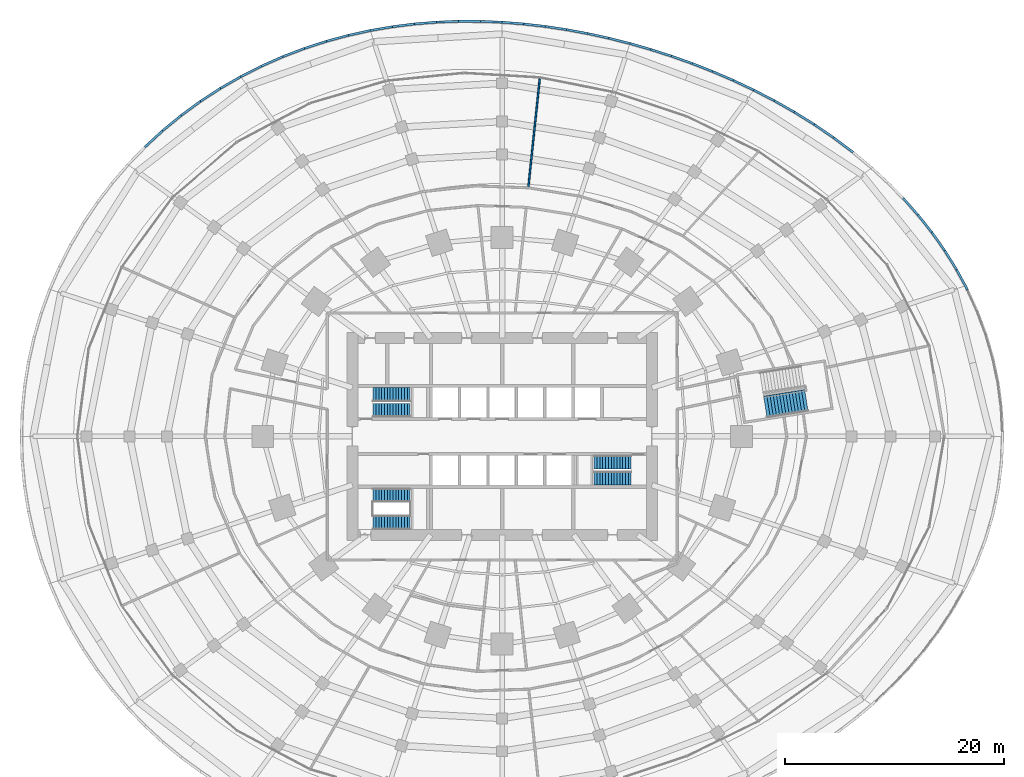
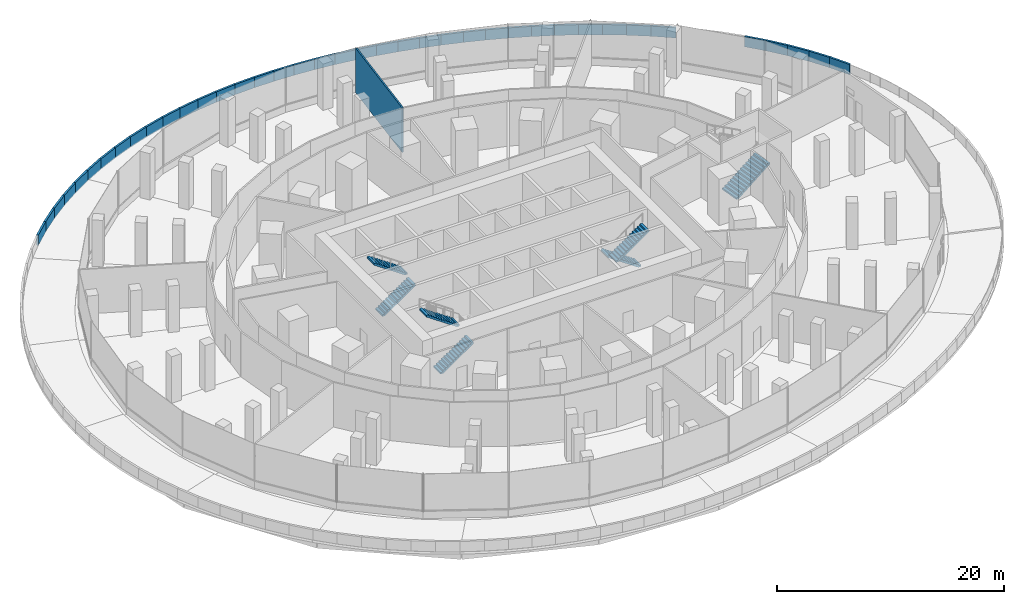
# One storey, part 27 of 31: 40 walls, 7 stair flights, 4 elements without a shape of their own.
"""IFC4 building model written with IfcOpenShell, lengths in metres."""

from ifc_helpers import new_model, si_unit, direction, frame, frame_2d, origin, place, context, subcontext, project, spatial, polyline, rectangle, outline, extrude, material, layer, layer_set, type_object, element, aggregate, save


model = new_model("IFC4")

# Units and contexts
model_context = context("Model", 3, precision=1e-05, world=origin(), true_north=direction((0.0, 1.0)))
body_context = subcontext(model_context, "Body", "Model", "MODEL_VIEW")
ifc_project = project(units=[si_unit("LENGTHUNIT", "METRE"), si_unit("AREAUNIT", "SQUARE_METRE"), si_unit("VOLUMEUNIT", "CUBIC_METRE"), si_unit("PLANEANGLEUNIT", "RADIAN"), si_unit("MASSUNIT", "GRAM", prefix="KILO")], contexts=[model_context])

# Site, building, storey
site_placement = place(None, origin())
site = spatial("IfcSite", under=ifc_project, at=site_placement, CompositionType="ELEMENT")
building_placement = place(site_placement, origin())
building = spatial("IfcBuilding", under=site, at=building_placement, Name="Marramba Exchange Tower", CompositionType="ELEMENT")
storey_placement = place(building_placement, frame((0.0, 0.0, 5.60009765625)))
storey = spatial("IfcBuildingStorey", under=building, at=storey_placement, Name="L01", CompositionType="ELEMENT", Elevation=5.60009765625)

# Walls
ifc_material_1 = material(Name="Concrete N40", Category="concrete")
ifc_layer_1 = layer(ifc_material_1, 0.199951171875)
ifc_layer_set_1 = layer_set([ifc_layer_1], Name="Roof parapet 200")
wall_type_1 = type_object("IfcWallType", Name="Roof parapet 200", PredefinedType="PARAPET", material=ifc_layer_set_1)
wall_1_placement = place(storey_placement, frame((42.560546875, 13.40869140625, 0.0), z_axis=(0.0, 0.0, 1.0), x_axis=(-0.47446368873, 0.880275075233, 0.0)))
element("IfcWall", 1, at=wall_1_placement, inside=storey, type_object=wall_type_1, Name="Parapet L01 bay 02", PredefinedType="PARAPET", context=body_context, shape_type="SweptSolid", body=[
    extrude(rectangle(XDim=2.080322265625, YDim=0.199951171875, at=frame_2d((1.0400390625, 0.0))), origin(), (0.0, 0.0, 1.0), 1.099853515625),
])
wall_2_placement = place(storey_placement, frame((41.573486328125, 15.239990234375, 0.0), z_axis=(0.0, 0.0, 1.0), x_axis=(-0.528120417242, 0.849169491263, 0.0)))
element("IfcWall", 2, at=wall_2_placement, inside=storey, type_object=wall_type_1, Name="Parapet L01 bay 02", PredefinedType="PARAPET", context=body_context, shape_type="SweptSolid", body=[
    extrude(rectangle(XDim=2.069091796875, YDim=0.199951171875, at=frame_2d((1.03466796875, 0.0))), origin(), (0.0, 0.0, 1.0), 1.099853515625),
])
wall_3_placement = place(storey_placement, frame((40.480712890625, 16.9970703125, 0.0), z_axis=(0.0, 0.0, 1.0), x_axis=(-0.577638429432, 0.816292744573, 0.0)))
element("IfcWall", 3, at=wall_3_placement, inside=storey, type_object=wall_type_1, Name="Parapet L01 bay 02", PredefinedType="PARAPET", context=body_context, shape_type="SweptSolid", body=[
    extrude(rectangle(XDim=2.05615234375, YDim=0.199951171875, at=frame_2d((1.028076171875, 0.0))), origin(), (0.0, 0.0, 1.0), 1.099853515625),
])
wall_4_placement = place(storey_placement, frame((39.29296875, 18.675537109375, 0.0), z_axis=(0.0, 0.0, 1.0), x_axis=(-0.623089407326, 0.782150618793, 0.0)))
element("IfcWall", 4, at=wall_4_placement, inside=storey, type_object=wall_type_1, Name="Parapet L01 bay 02", PredefinedType="PARAPET", context=body_context, shape_type="SweptSolid", body=[
    extrude(rectangle(XDim=2.04150390625, YDim=0.199951171875, at=frame_2d((1.020751953125, 0.0))), origin(), (0.0, 0.0, 1.0), 1.099853515625),
])
wall_5_placement = place(storey_placement, frame((38.02099609375, 20.272216796875, 0.0), z_axis=(0.0, 0.0, 1.0), x_axis=(-0.664476088667, 0.747309525959, 0.0)))
element("IfcWall", 5, at=wall_5_placement, inside=storey, type_object=wall_type_1, Name="Parapet L01 bay 02", PredefinedType="PARAPET", context=body_context, shape_type="SweptSolid", body=[
    extrude(rectangle(XDim=2.02490234375, YDim=0.199951171875, at=frame_2d((1.012451171875, 0.0))), origin(), (0.0, 0.0, 1.0), 1.099853515625),
])
wall_6_placement = place(storey_placement, frame((32.09130859375, 25.987060546875, 0.0), z_axis=(0.0, 0.0, 1.0), x_axis=(-0.798827513342, 0.601560141572, 0.0)))
element("IfcWall", 6, at=wall_6_placement, inside=storey, type_object=wall_type_1, Name="Parapet L01 bay 03", PredefinedType="PARAPET", context=body_context, shape_type="SweptSolid", body=[
    extrude(rectangle(XDim=2.20166015625, YDim=0.199951171875, at=frame_2d((1.100830078125, 0.0))), origin(), (0.0, 0.0, 1.0), 1.099853515625),
])
wall_7_placement = place(storey_placement, frame((30.33251953125, 27.3115234375, 0.0), z_axis=(0.0, 0.0, 1.0), x_axis=(-0.825742290935, 0.56404757686, 0.0)))
element("IfcWall", 7, at=wall_7_placement, inside=storey, type_object=wall_type_1, Name="Parapet L01 bay 03", PredefinedType="PARAPET", context=body_context, shape_type="SweptSolid", body=[
    extrude(rectangle(XDim=2.173828125, YDim=0.199951171875, at=frame_2d((1.0869140625, 0.0))), origin(), (0.0, 0.0, 1.0), 1.099853515625),
])
wall_8_placement = place(storey_placement, frame((28.53759765625, 28.53759765625, 0.0), z_axis=(0.0, 0.0, 1.0), x_axis=(-0.849191548621, 0.52808494937, 0.0)))
element("IfcWall", 8, at=wall_8_placement, inside=storey, type_object=wall_type_1, Name="Parapet L01 bay 03", PredefinedType="PARAPET", context=body_context, shape_type="SweptSolid", body=[
    extrude(rectangle(XDim=2.1455078125, YDim=0.199951171875, at=frame_2d((1.07275390625, 0.0))), origin(), (0.0, 0.0, 1.0), 1.099853515625),
])
wall_9_placement = place(storey_placement, frame((26.715576171875, 29.670654296875, 0.0), z_axis=(0.0, 0.0, 1.0), x_axis=(-0.870010651071, 0.493032926915, 0.0)))
element("IfcWall", 9, at=wall_9_placement, inside=storey, type_object=wall_type_1, Name="Parapet L01 bay 03", PredefinedType="PARAPET", context=body_context, shape_type="SweptSolid", body=[
    extrude(rectangle(XDim=2.118408203125, YDim=0.199951171875, at=frame_2d((1.05908203125, 0.0))), origin(), (0.0, 0.0, 1.0), 1.099853515625),
])
wall_10_placement = place(storey_placement, frame((24.87255859375, 30.715087890625, 0.0), z_axis=(0.0, 0.0, 1.0), x_axis=(-0.888109250046, 0.459632418333, 0.0)))
element("IfcWall", 10, at=wall_10_placement, inside=storey, type_object=wall_type_1, Name="Parapet L01 bay 03", PredefinedType="PARAPET", context=body_context, shape_type="SweptSolid", body=[
    extrude(rectangle(XDim=2.09228515625, YDim=0.199951171875, at=frame_2d((1.046142578125, 0.0))), origin(), (0.0, 0.0, 1.0), 1.099853515625),
])
wall_11_placement = place(storey_placement, frame((23.014404296875, 31.6767578125, 0.0), z_axis=(0.0, 0.0, 1.0), x_axis=(-0.904170117636, 0.427172562759, 0.0)))
element("IfcWall", 11, at=wall_11_placement, inside=storey, type_object=wall_type_1, Name="Parapet L01 bay 04", PredefinedType="PARAPET", context=body_context, shape_type="SweptSolid", body=[
    extrude(rectangle(XDim=2.06787109375, YDim=0.199951171875, at=frame_2d((1.033935546875, 0.0))), origin(), (0.0, 0.0, 1.0), 1.099853515625),
])
wall_12_placement = place(storey_placement, frame((21.144775390625, 32.56005859375, 0.0), z_axis=(0.0, 0.0, 1.0), x_axis=(-0.918359236992, 0.395747788157, 0.0)))
element("IfcWall", 12, at=wall_12_placement, inside=storey, type_object=wall_type_1, Name="Parapet L01 bay 04", PredefinedType="PARAPET", context=body_context, shape_type="SweptSolid", body=[
    extrude(rectangle(XDim=2.045654296875, YDim=0.199951171875, at=frame_2d((1.02294921875, 0.0))), origin(), (0.0, 0.0, 1.0), 1.099853515625),
])
wall_13_placement = place(storey_placement, frame((19.26611328125, 33.36962890625, 0.0), z_axis=(0.0, 0.0, 1.0), x_axis=(-0.930940274783, 0.365171473129, 0.0)))
element("IfcWall", 13, at=wall_13_placement, inside=storey, type_object=wall_type_1, Name="Parapet L01 bay 04", PredefinedType="PARAPET", context=body_context, shape_type="SweptSolid", body=[
    extrude(rectangle(XDim=2.0263671875, YDim=0.199951171875, at=frame_2d((1.01318359375, 0.0))), origin(), (0.0, 0.0, 1.0), 1.099853515625),
])
wall_14_placement = place(storey_placement, frame((17.379638671875, 34.109619140625, 0.0), z_axis=(0.0, 0.0, 1.0), x_axis=(-0.942189120979, 0.335081572619, 0.0)))
element("IfcWall", 14, at=wall_14_placement, inside=storey, type_object=wall_type_1, Name="Parapet L01 bay 04", PredefinedType="PARAPET", context=body_context, shape_type="SweptSolid", body=[
    extrude(rectangle(XDim=2.009521484375, YDim=0.199951171875, at=frame_2d((1.0048828125, 0.0))), origin(), (0.0, 0.0, 1.0), 1.099853515625),
])
wall_15_placement = place(storey_placement, frame((15.486328125, 34.782958984375, 0.0), z_axis=(0.0, 0.0, 1.0), x_axis=(-0.952289125088, 0.305197349659, 0.0)))
element("IfcWall", 15, at=wall_15_placement, inside=storey, type_object=wall_type_1, Name="Parapet L01 bay 04", PredefinedType="PARAPET", context=body_context, shape_type="SweptSolid", body=[
    extrude(rectangle(XDim=1.995849609375, YDim=0.199951171875, at=frame_2d((0.998046875, 0.0))), origin(), (0.0, 0.0, 1.0), 1.099853515625),
])
wall_16_placement = place(storey_placement, frame((13.585693359375, 35.39208984375, 0.0), z_axis=(0.0, 0.0, 1.0), x_axis=(-0.961375296718, 0.275240874255, 0.0)))
element("IfcWall", 16, at=wall_16_placement, inside=storey, type_object=wall_type_1, Name="Parapet L01 bay 04", PredefinedType="PARAPET", context=body_context, shape_type="SweptSolid", body=[
    extrude(rectangle(XDim=1.985107421875, YDim=0.199951171875, at=frame_2d((0.99267578125, 0.0))), origin(), (0.0, 0.0, 1.0), 1.099853515625),
])
wall_17_placement = place(storey_placement, frame((11.67724609375, 35.9384765625, 0.0), z_axis=(0.0, 0.0, 1.0), x_axis=(-0.969522222507, 0.245003387865, 0.0)))
element("IfcWall", 17, at=wall_17_placement, inside=storey, type_object=wall_type_1, Name="Parapet L01 bay 05", PredefinedType="PARAPET", context=body_context, shape_type="SweptSolid", body=[
    extrude(rectangle(XDim=1.97802734375, YDim=0.199951171875, at=frame_2d((0.989013671875, 0.0))), origin(), (0.0, 0.0, 1.0), 1.099853515625),
])
wall_18_placement = place(storey_placement, frame((9.759521484375, 36.423095703125, 0.0), z_axis=(0.0, 0.0, 1.0), x_axis=(-0.976854798587, 0.213903488698, 0.0)))
element("IfcWall", 18, at=wall_18_placement, inside=storey, type_object=wall_type_1, Name="Parapet L01 bay 05", PredefinedType="PARAPET", context=body_context, shape_type="SweptSolid", body=[
    extrude(rectangle(XDim=1.973388671875, YDim=0.199951171875, at=frame_2d((0.98681640625, 0.0))), origin(), (0.0, 0.0, 1.0), 1.099853515625),
])
wall_19_placement = place(storey_placement, frame((7.831787109375, 36.84521484375, 0.0), z_axis=(0.0, 0.0, 1.0), x_axis=(-0.983302521759, 0.181978434721, 0.0)))
element("IfcWall", 19, at=wall_19_placement, inside=storey, type_object=wall_type_1, Name="Parapet L01 bay 05", PredefinedType="PARAPET", context=body_context, shape_type="SweptSolid", body=[
    extrude(rectangle(XDim=1.97216796875, YDim=0.199951171875, at=frame_2d((0.986083984375, 0.0))), origin(), (0.0, 0.0, 1.0), 1.099853515625),
])
wall_20_placement = place(storey_placement, frame((5.892578125, 37.2041015625, 0.0), z_axis=(0.0, 0.0, 1.0), x_axis=(-0.98884451305, 0.148951431717, 0.0)))
element("IfcWall", 20, at=wall_20_placement, inside=storey, type_object=wall_type_1, Name="Parapet L01 bay 05", PredefinedType="PARAPET", context=body_context, shape_type="SweptSolid", body=[
    extrude(rectangle(XDim=1.973388671875, YDim=0.199951171875, at=frame_2d((0.98681640625, 0.0))), origin(), (0.0, 0.0, 1.0), 1.099853515625),
])
wall_21_placement = place(storey_placement, frame((3.941162109375, 37.498046875, 0.0), z_axis=(0.0, 0.0, 1.0), x_axis=(-0.993440805312, 0.114347568144, 0.0)))
element("IfcWall", 21, at=wall_21_placement, inside=storey, type_object=wall_type_1, Name="Parapet L01 bay 05", PredefinedType="PARAPET", context=body_context, shape_type="SweptSolid", body=[
    extrude(rectangle(XDim=1.97705078125, YDim=0.199951171875, at=frame_2d((0.988525390625, 0.0))), origin(), (0.0, 0.0, 1.0), 1.099853515625),
])
wall_22_placement = place(storey_placement, frame((1.97705078125, 37.72412109375, 0.0), z_axis=(0.0, 0.0, 1.0), x_axis=(-0.996910844446, 0.078541506391, 0.0)))
element("IfcWall", 22, at=wall_22_placement, inside=storey, type_object=wall_type_1, Name="Parapet L01 bay 05", PredefinedType="PARAPET", context=body_context, shape_type="SweptSolid", body=[
    extrude(rectangle(XDim=1.983154296875, YDim=0.199951171875, at=frame_2d((0.99169921875, 0.0))), origin(), (0.0, 0.0, 1.0), 1.099853515625),
])
wall_23_placement = place(storey_placement, frame((0.0, 37.8798828125, 0.0), z_axis=(0.0, 0.0, 1.0), x_axis=(-0.999156080644, 0.041074645603, 0.0)))
element("IfcWall", 23, at=wall_23_placement, inside=storey, type_object=wall_type_1, Name="Parapet L01 bay 06", PredefinedType="PARAPET", context=body_context, shape_type="SweptSolid", body=[
    extrude(rectangle(XDim=1.9912109375, YDim=0.199951171875, at=frame_2d((0.99560546875, 0.0))), origin(), (0.0, 0.0, 1.0), 1.099853515625),
])
wall_24_placement = place(storey_placement, frame((-1.989501953125, 37.961669921875, 0.0), z_axis=(0.0, 0.0, 1.0), x_axis=(-0.99999784889, 0.002074178066, 0.0)))
element("IfcWall", 24, at=wall_24_placement, inside=storey, type_object=wall_type_1, Name="Parapet L01 bay 06", PredefinedType="PARAPET", context=body_context, shape_type="SweptSolid", body=[
    extrude(rectangle(XDim=2.0009765625, YDim=0.199951171875, at=frame_2d((1.00048828125, 0.0))), origin(), (0.0, 0.0, 1.0), 1.099853515625),
])
wall_25_placement = place(storey_placement, frame((-3.990478515625, 37.9658203125, 0.0), z_axis=(0.0, 0.0, 1.0), x_axis=(-0.999255248024, -0.038586905752, 0.0)))
element("IfcWall", 25, at=wall_25_placement, inside=storey, type_object=wall_type_1, Name="Parapet L01 bay 06", PredefinedType="PARAPET", context=body_context, shape_type="SweptSolid", body=[
    extrude(rectangle(XDim=2.011962890625, YDim=0.199951171875, at=frame_2d((1.005859375, 0.0))), origin(), (0.0, 0.0, 1.0), 1.099853515625),
])
wall_26_placement = place(storey_placement, frame((-6.0009765625, 37.88818359375, 0.0), z_axis=(0.0, 0.0, 1.0), x_axis=(-0.996729573251, -0.080809391829, 0.0)))
element("IfcWall", 26, at=wall_26_placement, inside=storey, type_object=wall_type_1, Name="Parapet L01 bay 06", PredefinedType="PARAPET", context=body_context, shape_type="SweptSolid", body=[
    extrude(rectangle(XDim=2.024169921875, YDim=0.199951171875, at=frame_2d((1.01220703125, 0.0))), origin(), (0.0, 0.0, 1.0), 1.099853515625),
])
wall_27_placement = place(storey_placement, frame((-8.0185546875, 37.724609375, 0.0), z_axis=(0.0, 0.0, 1.0), x_axis=(-0.992252050382, -0.124241170761, 0.0)))
element("IfcWall", 27, at=wall_27_placement, inside=storey, type_object=wall_type_1, Name="Parapet L01 bay 06", PredefinedType="PARAPET", context=body_context, shape_type="SweptSolid", body=[
    extrude(rectangle(XDim=2.037841796875, YDim=0.199951171875, at=frame_2d((1.01904296875, 0.0))), origin(), (0.0, 0.0, 1.0), 1.099853515625),
])
wall_28_placement = place(storey_placement, frame((-10.04052734375, 37.471435546875, 0.0), z_axis=(0.0, 0.0, 1.0), x_axis=(-0.985597896251, -0.169105845276, 0.0)))
element("IfcWall", 28, at=wall_28_placement, inside=storey, type_object=wall_type_1, Name="Parapet L01 bay 06", PredefinedType="PARAPET", context=body_context, shape_type="SweptSolid", body=[
    extrude(rectangle(XDim=2.051513671875, YDim=0.199951171875, at=frame_2d((1.02587890625, 0.0))), origin(), (0.0, 0.0, 1.0), 1.099853515625),
])
wall_29_placement = place(storey_placement, frame((-12.0625, 37.12451171875, 0.0), z_axis=(0.0, 0.0, 1.0), x_axis=(-0.97662710632, -0.21494067833, 0.0)))
element("IfcWall", 29, at=wall_29_placement, inside=storey, type_object=wall_type_1, Name="Parapet L01 bay 07", PredefinedType="PARAPET", context=body_context, shape_type="SweptSolid", body=[
    extrude(rectangle(XDim=2.066162109375, YDim=0.199951171875, at=frame_2d((1.033203125, 0.0))), origin(), (0.0, 0.0, 1.0), 1.099853515625),
])
wall_30_placement = place(storey_placement, frame((-14.080322265625, 36.680419921875, 0.0), z_axis=(0.0, 0.0, 1.0), x_axis=(-0.9651714633, -0.26161813093, 0.0)))
element("IfcWall", 30, at=wall_30_placement, inside=storey, type_object=wall_type_1, Name="Parapet L01 bay 07", PredefinedType="PARAPET", context=body_context, shape_type="SweptSolid", body=[
    extrude(rectangle(XDim=2.0810546875, YDim=0.199951171875, at=frame_2d((1.04052734375, 0.0))), origin(), (0.0, 0.0, 1.0), 1.099853515625),
])
wall_31_placement = place(storey_placement, frame((-16.0888671875, 36.135986328125, 0.0), z_axis=(0.0, 0.0, 1.0), x_axis=(-0.951123913208, -0.308809490988, 0.0)))
element("IfcWall", 31, at=wall_31_placement, inside=storey, type_object=wall_type_1, Name="Parapet L01 bay 07", PredefinedType="PARAPET", context=body_context, shape_type="SweptSolid", body=[
    extrude(rectangle(XDim=2.095947265625, YDim=0.199951171875, at=frame_2d((1.0478515625, 0.0))), origin(), (0.0, 0.0, 1.0), 1.099853515625),
])
wall_32_placement = place(storey_placement, frame((-18.082275390625, 35.48876953125, 0.0), z_axis=(0.0, 0.0, 1.0), x_axis=(-0.934298930439, -0.356490544869, 0.0)))
element("IfcWall", 32, at=wall_32_placement, inside=storey, type_object=wall_type_1, Name="Parapet L01 bay 07", PredefinedType="PARAPET", context=body_context, shape_type="SweptSolid", body=[
    extrude(rectangle(XDim=2.111328125, YDim=0.199951171875, at=frame_2d((1.0556640625, 0.0))), origin(), (0.0, 0.0, 1.0), 1.099853515625),
])
wall_33_placement = place(storey_placement, frame((-20.054931640625, 34.736083984375, 0.0), z_axis=(0.0, 0.0, 1.0), x_axis=(-0.914619460202, -0.404315771421, 0.0)))
element("IfcWall", 33, at=wall_33_placement, inside=storey, type_object=wall_type_1, Name="Parapet L01 bay 07", PredefinedType="PARAPET", context=body_context, shape_type="SweptSolid", body=[
    extrude(rectangle(XDim=2.126220703125, YDim=0.199951171875, at=frame_2d((1.06298828125, 0.0))), origin(), (0.0, 0.0, 1.0), 1.099853515625),
])
wall_34_placement = place(storey_placement, frame((-21.99951171875, 33.87646484375, 0.0), z_axis=(0.0, 0.0, 1.0), x_axis=(-0.89208909401, -0.451859544934, 0.0)))
element("IfcWall", 34, at=wall_34_placement, inside=storey, type_object=wall_type_1, Name="Parapet L01 bay 07", PredefinedType="PARAPET", context=body_context, shape_type="SweptSolid", body=[
    extrude(rectangle(XDim=2.14111328125, YDim=0.199951171875, at=frame_2d((1.070556640625, 0.0))), origin(), (0.0, 0.0, 1.0), 1.099853515625),
])
wall_35_placement = place(storey_placement, frame((-23.90966796875, 32.908935546875, 0.0), z_axis=(0.0, 0.0, 1.0), x_axis=(-0.86663581123, -0.498941249742, 0.0)))
element("IfcWall", 35, at=wall_35_placement, inside=storey, type_object=wall_type_1, Name="Parapet L01 bay 08", PredefinedType="PARAPET", context=body_context, shape_type="SweptSolid", body=[
    extrude(rectangle(XDim=2.156005859375, YDim=0.199951171875, at=frame_2d((1.078125, 0.0))), origin(), (0.0, 0.0, 1.0), 1.099853515625),
])
wall_36_placement = place(storey_placement, frame((-25.778076171875, 31.833251953125, 0.0), z_axis=(0.0, 0.0, 1.0), x_axis=(-0.838109326127, -0.545502298307, 0.0)))
element("IfcWall", 36, at=wall_36_placement, inside=storey, type_object=wall_type_1, Name="Parapet L01 bay 08", PredefinedType="PARAPET", context=body_context, shape_type="SweptSolid", body=[
    extrude(rectangle(XDim=2.170166015625, YDim=0.199951171875, at=frame_2d((1.0849609375, 0.0))), origin(), (0.0, 0.0, 1.0), 1.099853515625),
])
wall_37_placement = place(storey_placement, frame((-27.596923828125, 30.6494140625, 0.0), z_axis=(0.0, 0.0, 1.0), x_axis=(-0.806749581927, -0.590893486222, 0.0)))
element("IfcWall", 37, at=wall_37_placement, inside=storey, type_object=wall_type_1, Name="Parapet L01 bay 08", PredefinedType="PARAPET", context=body_context, shape_type="SweptSolid", body=[
    extrude(rectangle(XDim=2.18408203125, YDim=0.199951171875, at=frame_2d((1.092041015625, 0.0))), origin(), (0.0, 0.0, 1.0), 1.099853515625),
])
wall_38_placement = place(storey_placement, frame((-29.35888671875, 29.35888671875, 0.0), z_axis=(0.0, 0.0, 1.0), x_axis=(-0.772375825238, -0.635165792993, 0.0)))
element("IfcWall", 38, at=wall_38_placement, inside=storey, type_object=wall_type_1, Name="Parapet L01 bay 08", PredefinedType="PARAPET", context=body_context, shape_type="SweptSolid", body=[
    extrude(rectangle(XDim=2.197509765625, YDim=0.199951171875, at=frame_2d((1.0986328125, 0.0))), origin(), (0.0, 0.0, 1.0), 1.099853515625),
])
wall_39_placement = place(storey_placement, frame((-31.05615234375, 27.963134765625, 0.0), z_axis=(0.0, 0.0, 1.0), x_axis=(-0.7351336392, -0.677922217159, 0.0)))
element("IfcWall", 39, at=wall_39_placement, inside=storey, type_object=wall_type_1, Name="Parapet L01 bay 08", PredefinedType="PARAPET", context=body_context, shape_type="SweptSolid", body=[
    extrude(rectangle(XDim=2.21044921875, YDim=0.199951171875, at=frame_2d((1.105224609375, 0.0))), origin(), (0.0, 0.0, 1.0), 1.099853515625),
])
ifc_material_2 = material(Name="Fire-rated plasterboard on steel studs, acoustic insulation", Category="steel")
ifc_layer_2 = layer(ifc_material_2, 0.14990234375)
ifc_layer_set_2 = layer_set([ifc_layer_2], Name="Tenancy wall 150")
wall_type_2 = type_object("IfcWallType", Name="Tenancy wall 150", PredefinedType="PARTITIONING", material=ifc_layer_set_2)
wall_40_placement = place(storey_placement, frame((2.39013671875, 22.739990234375, 0.0), z_axis=(0.0, 0.0, 1.0), x_axis=(0.10453307008, 0.994521411162, 0.0)))
element("IfcWall", 40, at=wall_40_placement, inside=storey, type_object=wall_type_2, Name="Tenancy wall L01 76", PredefinedType="PARTITIONING", context=body_context, shape_type="SweptSolid", body=[
    extrude(rectangle(XDim=10.05224609375, YDim=0.14990234375, at=frame_2d((5.026123046875, 0.0))), origin(), (0.0, 0.0, 1.0), 4.7998046875),
])

# Stair, stair flights
ifc_material_3 = material(Name="Concrete N40 (40 MPa)", Category="concrete")
stair_type_1 = type_object("IfcStairType", Name="Exit stair ST1 5000 x 1250", PredefinedType="HALF_TURN_STAIR", material=ifc_material_3)
stair_1_placement = place(storey_placement, origin())
stair_1 = element("IfcStair", 41, at=stair_1_placement, inside=storey, type_object=stair_type_1, Name="Exit stair ST1 L01", PredefinedType="HALF_TURN_STAIR")
stair_flight_type_1 = type_object("IfcStairFlightType", Name="ST1 stair flight 1786 riser 1250 wide", PredefinedType="STRAIGHT", material=ifc_material_3)
stair_flight_1_placement = place(storey_placement, frame((-11.800048828125, 2.375, 0.0), z_axis=(0.0, 0.0, 1.0), x_axis=(1.0, 0.0, 0.0)))
stair_flight_1 = element("IfcStairFlight", 42, at=stair_flight_1_placement, type_object=stair_flight_type_1, Name="ST1 flight 1", NumberOfRisers=14, NumberOfTreads=13, PredefinedType="STRAIGHT", RiserHeight=0.178571429, TreadLength=0.26, context=body_context, shape_type="SweptSolid", body=[
    extrude(outline(polyline([(0.0, 0.0), (0.0, 0.178466796875), (0.260009765625, 0.178466796875), (0.260009765625, 0.357177734375), (0.52001953125, 0.357177734375), (0.52001953125, 0.53564453125), (0.780029296875, 0.53564453125), (0.780029296875, 0.71435546875), (1.0400390625, 0.71435546875), (1.0400390625, 0.892822265625), (1.300048828125, 0.892822265625), (1.300048828125, 1.071533203125), (1.56005859375, 1.071533203125), (1.56005859375, 1.25), (1.820068359375, 1.25), (1.820068359375, 1.428466796875), (2.080078125, 1.428466796875), (2.080078125, 1.607177734375), (2.340087890625, 1.607177734375), (2.340087890625, 1.78564453125), (2.60009765625, 1.78564453125), (2.60009765625, 1.96435546875), (2.860107421875, 1.96435546875), (2.860107421875, 2.142822265625), (3.1201171875, 2.142822265625), (3.1201171875, 2.321533203125), (3.3798828125, 2.321533203125), (3.3798828125, 2.5), (3.3798828125, 2.1396484375), (0.264892578125, 0.0), (0.0, 0.0)])), frame((0.0, 0.625, 0.0), z_axis=(0.0, -1.0, 0.0), x_axis=(1.0, 0.0, 0.0)), (0.0, 0.0, 1.0), 1.25),
])
stair_flight_2_placement = place(storey_placement, frame((-8.419921875, 3.824951171875, 2.5), z_axis=(0.0, 0.0, 1.0), x_axis=(-1.0, 0.0, 0.0)))
stair_flight_2 = element("IfcStairFlight", 43, at=stair_flight_2_placement, type_object=stair_flight_type_1, Name="ST1 flight 2", NumberOfRisers=14, NumberOfTreads=13, PredefinedType="STRAIGHT", RiserHeight=0.178571429, TreadLength=0.26, context=body_context, shape_type="SweptSolid", body=[
    extrude(outline(polyline([(0.0, 0.0), (0.0, 0.178466796875), (0.260009765625, 0.178466796875), (0.260009765625, 0.357177734375), (0.52001953125, 0.357177734375), (0.52001953125, 0.53564453125), (0.780029296875, 0.53564453125), (0.780029296875, 0.71435546875), (1.0400390625, 0.71435546875), (1.0400390625, 0.892822265625), (1.300048828125, 0.892822265625), (1.300048828125, 1.071533203125), (1.56005859375, 1.071533203125), (1.56005859375, 1.25), (1.820068359375, 1.25), (1.820068359375, 1.428466796875), (2.080078125, 1.428466796875), (2.080078125, 1.607177734375), (2.340087890625, 1.607177734375), (2.340087890625, 1.78564453125), (2.60009765625, 1.78564453125), (2.60009765625, 1.96435546875), (2.860107421875, 1.96435546875), (2.860107421875, 2.142822265625), (3.1201171875, 2.142822265625), (3.1201171875, 2.321533203125), (3.3798828125, 2.321533203125), (3.3798828125, 2.5), (3.3798828125, 2.1396484375), (0.264892578125, 0.0), (0.0, 0.0)])), frame((0.0, 0.625, 0.0), z_axis=(0.0, -1.0, 0.0), x_axis=(1.0, 0.0, 0.0)), (0.0, 0.0, 1.0), 1.25),
])
aggregate(stair_1, [stair_flight_1, stair_flight_2])

stair_type_2 = type_object("IfcStairType", Name="Exit stair ST2 5000 x 1250", PredefinedType="HALF_TURN_STAIR", material=ifc_material_3)
stair_2_placement = place(storey_placement, origin())
stair_2 = element("IfcStair", 44, at=stair_2_placement, inside=storey, type_object=stair_type_2, Name="Exit stair ST2 L01", PredefinedType="HALF_TURN_STAIR")
stair_flight_type_2 = type_object("IfcStairFlightType", Name="ST2 stair flight 1786 riser 1250 wide", PredefinedType="STRAIGHT", material=ifc_material_3)
stair_flight_3_placement = place(storey_placement, frame((11.800048828125, -2.375, 0.0), z_axis=(0.0, 0.0, 1.0), x_axis=(-1.0, 0.0, 0.0)))
stair_flight_3 = element("IfcStairFlight", 45, at=stair_flight_3_placement, type_object=stair_flight_type_2, Name="ST2 flight 1", NumberOfRisers=14, NumberOfTreads=13, PredefinedType="STRAIGHT", RiserHeight=0.178571429, TreadLength=0.26, context=body_context, shape_type="SweptSolid", body=[
    extrude(outline(polyline([(0.0, 0.0), (0.0, 0.178466796875), (0.260009765625, 0.178466796875), (0.260009765625, 0.357177734375), (0.52001953125, 0.357177734375), (0.52001953125, 0.53564453125), (0.780029296875, 0.53564453125), (0.780029296875, 0.71435546875), (1.0400390625, 0.71435546875), (1.0400390625, 0.892822265625), (1.300048828125, 0.892822265625), (1.300048828125, 1.071533203125), (1.56005859375, 1.071533203125), (1.56005859375, 1.25), (1.820068359375, 1.25), (1.820068359375, 1.428466796875), (2.080078125, 1.428466796875), (2.080078125, 1.607177734375), (2.340087890625, 1.607177734375), (2.340087890625, 1.78564453125), (2.60009765625, 1.78564453125), (2.60009765625, 1.96435546875), (2.860107421875, 1.96435546875), (2.860107421875, 2.142822265625), (3.1201171875, 2.142822265625), (3.1201171875, 2.321533203125), (3.3798828125, 2.321533203125), (3.3798828125, 2.5), (3.3798828125, 2.1396484375), (0.264892578125, 0.0), (0.0, 0.0)])), frame((0.0, 0.625, 0.0), z_axis=(0.0, -1.0, 0.0), x_axis=(1.0, 0.0, 0.0)), (0.0, 0.0, 1.0), 1.25),
])
stair_flight_4_placement = place(storey_placement, frame((8.419921875, -3.824951171875, 2.5), z_axis=(0.0, 0.0, 1.0), x_axis=(1.0, 0.0, 0.0)))
stair_flight_4 = element("IfcStairFlight", 46, at=stair_flight_4_placement, type_object=stair_flight_type_2, Name="ST2 flight 2", NumberOfRisers=14, NumberOfTreads=13, PredefinedType="STRAIGHT", RiserHeight=0.178571429, TreadLength=0.26, context=body_context, shape_type="SweptSolid", body=[
    extrude(outline(polyline([(0.0, 0.0), (0.0, 0.178466796875), (0.260009765625, 0.178466796875), (0.260009765625, 0.357177734375), (0.52001953125, 0.357177734375), (0.52001953125, 0.53564453125), (0.780029296875, 0.53564453125), (0.780029296875, 0.71435546875), (1.0400390625, 0.71435546875), (1.0400390625, 0.892822265625), (1.300048828125, 0.892822265625), (1.300048828125, 1.071533203125), (1.56005859375, 1.071533203125), (1.56005859375, 1.25), (1.820068359375, 1.25), (1.820068359375, 1.428466796875), (2.080078125, 1.428466796875), (2.080078125, 1.607177734375), (2.340087890625, 1.607177734375), (2.340087890625, 1.78564453125), (2.60009765625, 1.78564453125), (2.60009765625, 1.96435546875), (2.860107421875, 1.96435546875), (2.860107421875, 2.142822265625), (3.1201171875, 2.142822265625), (3.1201171875, 2.321533203125), (3.3798828125, 2.321533203125), (3.3798828125, 2.5), (3.3798828125, 2.1396484375), (0.264892578125, 0.0), (0.0, 0.0)])), frame((0.0, 0.625, 0.0), z_axis=(0.0, -1.0, 0.0), x_axis=(1.0, 0.0, 0.0)), (0.0, 0.0, 1.0), 1.25),
])
aggregate(stair_2, [stair_flight_3, stair_flight_4])

stair_type_3 = type_object("IfcStairType", Name="Exit stair ST3 5000 x 1250", PredefinedType="HALF_TURN_STAIR", material=ifc_material_3)
stair_3_placement = place(storey_placement, origin())
stair_3 = element("IfcStair", 47, at=stair_3_placement, inside=storey, type_object=stair_type_3, Name="Exit stair ST3 L01", PredefinedType="HALF_TURN_STAIR")
stair_flight_type_3 = type_object("IfcStairFlightType", Name="ST3 stair flight 1786 riser 1250 wide", PredefinedType="STRAIGHT", material=ifc_material_3)
stair_flight_5_placement = place(storey_placement, frame((-11.800048828125, -7.875, 0.0), z_axis=(0.0, 0.0, 1.0), x_axis=(1.0, 0.0, 0.0)))
stair_flight_5 = element("IfcStairFlight", 48, at=stair_flight_5_placement, type_object=stair_flight_type_3, Name="ST3 flight 1", NumberOfRisers=14, NumberOfTreads=13, PredefinedType="STRAIGHT", RiserHeight=0.178571429, TreadLength=0.26, context=body_context, shape_type="SweptSolid", body=[
    extrude(outline(polyline([(0.0, 0.0), (0.0, 0.178466796875), (0.260009765625, 0.178466796875), (0.260009765625, 0.357177734375), (0.52001953125, 0.357177734375), (0.52001953125, 0.53564453125), (0.780029296875, 0.53564453125), (0.780029296875, 0.71435546875), (1.0400390625, 0.71435546875), (1.0400390625, 0.892822265625), (1.300048828125, 0.892822265625), (1.300048828125, 1.071533203125), (1.56005859375, 1.071533203125), (1.56005859375, 1.25), (1.820068359375, 1.25), (1.820068359375, 1.428466796875), (2.080078125, 1.428466796875), (2.080078125, 1.607177734375), (2.340087890625, 1.607177734375), (2.340087890625, 1.78564453125), (2.60009765625, 1.78564453125), (2.60009765625, 1.96435546875), (2.860107421875, 1.96435546875), (2.860107421875, 2.142822265625), (3.1201171875, 2.142822265625), (3.1201171875, 2.321533203125), (3.3798828125, 2.321533203125), (3.3798828125, 2.5), (3.3798828125, 2.1396484375), (0.264892578125, 0.0), (0.0, 0.0)])), frame((0.0, 0.625, 0.0), z_axis=(0.0, -1.0, 0.0), x_axis=(1.0, 0.0, 0.0)), (0.0, 0.0, 1.0), 1.25),
])
stair_flight_6_placement = place(storey_placement, frame((-8.419921875, -5.375, 2.5), z_axis=(0.0, 0.0, 1.0), x_axis=(-1.0, 0.0, 0.0)))
stair_flight_6 = element("IfcStairFlight", 49, at=stair_flight_6_placement, type_object=stair_flight_type_3, Name="ST3 flight 2", NumberOfRisers=14, NumberOfTreads=13, PredefinedType="STRAIGHT", RiserHeight=0.178571429, TreadLength=0.26, context=body_context, shape_type="SweptSolid", body=[
    extrude(outline(polyline([(0.0, 0.0), (0.0, 0.178466796875), (0.260009765625, 0.178466796875), (0.260009765625, 0.357177734375), (0.52001953125, 0.357177734375), (0.52001953125, 0.53564453125), (0.780029296875, 0.53564453125), (0.780029296875, 0.71435546875), (1.0400390625, 0.71435546875), (1.0400390625, 0.892822265625), (1.300048828125, 0.892822265625), (1.300048828125, 1.071533203125), (1.56005859375, 1.071533203125), (1.56005859375, 1.25), (1.820068359375, 1.25), (1.820068359375, 1.428466796875), (2.080078125, 1.428466796875), (2.080078125, 1.607177734375), (2.340087890625, 1.607177734375), (2.340087890625, 1.78564453125), (2.60009765625, 1.78564453125), (2.60009765625, 1.96435546875), (2.860107421875, 1.96435546875), (2.860107421875, 2.142822265625), (3.1201171875, 2.142822265625), (3.1201171875, 2.321533203125), (3.3798828125, 2.321533203125), (3.3798828125, 2.5), (3.3798828125, 2.1396484375), (0.264892578125, 0.0), (0.0, 0.0)])), frame((0.0, 0.625, 0.0), z_axis=(0.0, -1.0, 0.0), x_axis=(1.0, 0.0, 0.0)), (0.0, 0.0, 1.0), 1.25),
])
aggregate(stair_3, [stair_flight_5, stair_flight_6])

# Stair, stair flight
stair_type_4 = type_object("IfcStairType", Name="Exit stair ST4 5000 x 2000", PredefinedType="HALF_TURN_STAIR", material=ifc_material_3)
stair_4_placement = place(storey_placement, origin())
stair_4 = element("IfcStair", 50, at=stair_4_placement, inside=storey, type_object=stair_type_4, Name="Exit stair ST4 L01", PredefinedType="HALF_TURN_STAIR")
stair_flight_type_4 = type_object("IfcStairFlightType", Name="ST4 stair flight 1786 riser 2000 wide", PredefinedType="STRAIGHT", material=ifc_material_3)
stair_flight_7_placement = place(storey_placement, frame((24.07421875, 2.69921875, 0.0), z_axis=(0.0, 0.0, 1.0), x_axis=(0.987688340595, 0.15643446504, 0.0)))
stair_flight_7 = element("IfcStairFlight", 51, at=stair_flight_7_placement, type_object=stair_flight_type_4, Name="ST4 flight 1", NumberOfRisers=14, NumberOfTreads=13, PredefinedType="STRAIGHT", RiserHeight=0.178571429, TreadLength=0.292, context=body_context, shape_type="SweptSolid", body=[
    extrude(outline(polyline([(0.0, 0.0), (0.0, 0.178466796875), (0.2919921875, 0.178466796875), (0.2919921875, 0.357177734375), (0.583984375, 0.357177734375), (0.583984375, 0.53564453125), (0.8759765625, 0.53564453125), (0.8759765625, 0.71435546875), (1.16796875, 0.71435546875), (1.16796875, 0.892822265625), (1.4599609375, 0.892822265625), (1.4599609375, 1.071533203125), (1.751953125, 1.071533203125), (1.751953125, 1.25), (2.0439453125, 1.25), (2.0439453125, 1.428466796875), (2.3359375, 1.428466796875), (2.3359375, 1.607177734375), (2.6279296875, 1.607177734375), (2.6279296875, 1.78564453125), (2.919921875, 1.78564453125), (2.919921875, 1.96435546875), (3.2119140625, 1.96435546875), (3.2119140625, 2.142822265625), (3.50390625, 2.142822265625), (3.50390625, 2.321533203125), (3.7958984375, 2.321533203125), (3.7958984375, 2.5), (3.7958984375, 2.145751953125), (0.287353515625, 0.0), (0.0, 0.0)])), frame((0.0, 1.0, 0.0), z_axis=(0.0, -1.0, 0.0), x_axis=(1.0, 0.0, 0.0)), (0.0, 0.0, 1.0), 2.0),
])
aggregate(stair_4, [stair_flight_7])

save(model, "model.ifc")
